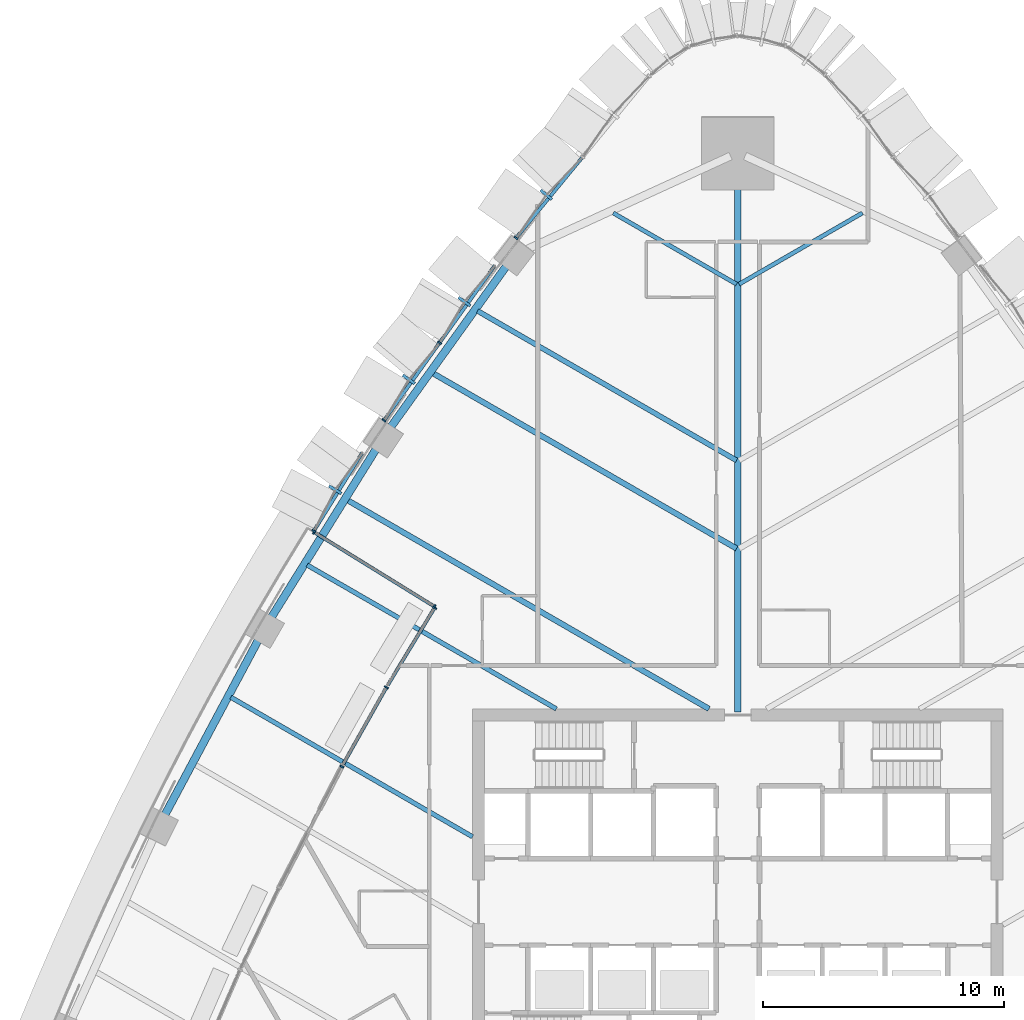
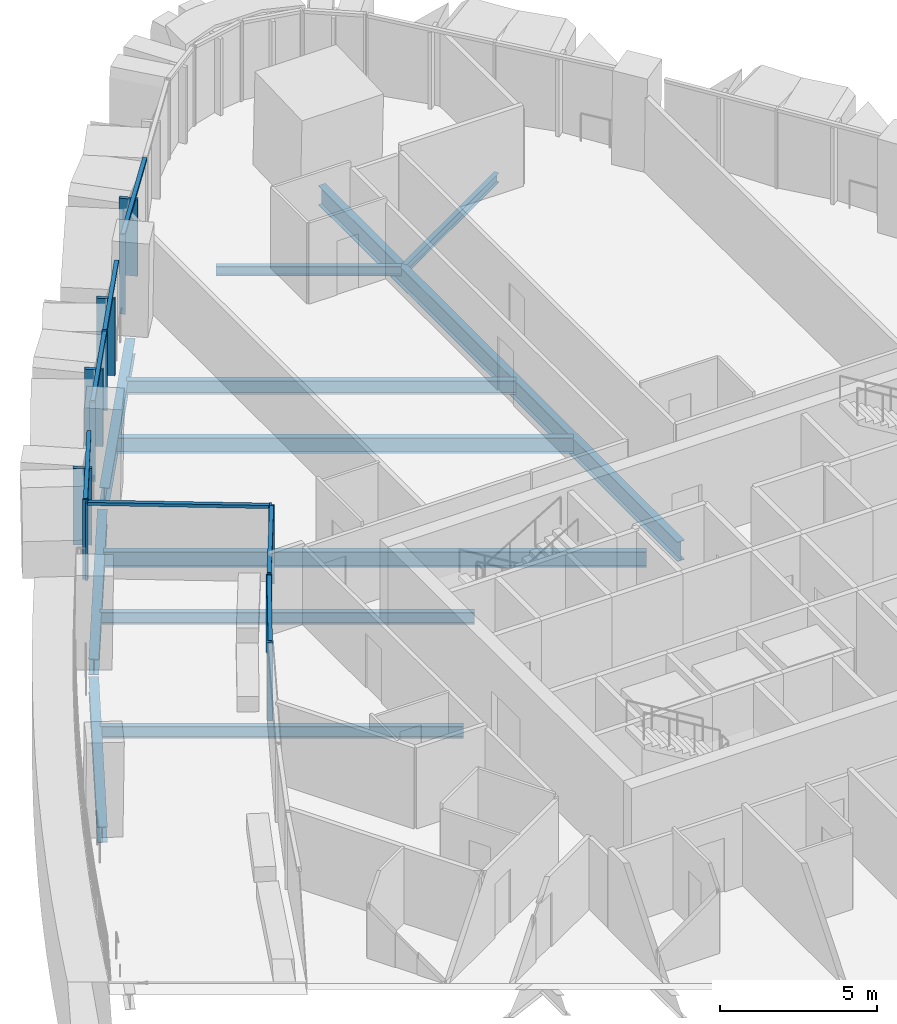
# One storey, part 6 of 24: 20 members, 11 beams, 7 elements without a shape of their own.
"""IFC4 building model written with IfcOpenShell, lengths in metres."""

from ifc_helpers import new_model, si_unit, direction, frame, origin, origin_2d, place, context, subcontext, project, spatial, rectangle, i_section, extrude, material, layer, layer_set, material_profile, profile_set, type_object, element, aggregate, save


model = new_model("IFC4")

# Units and contexts
model_context = context("Model", 3, precision=1e-05, world=origin(), true_north=direction((0.0, 1.0)))
body_context = subcontext(model_context, "Body", "Model", "MODEL_VIEW")
ifc_project = project(units=[si_unit("LENGTHUNIT", "METRE"), si_unit("AREAUNIT", "SQUARE_METRE"), si_unit("VOLUMEUNIT", "CUBIC_METRE"), si_unit("PLANEANGLEUNIT", "RADIAN"), si_unit("MASSUNIT", "GRAM", prefix="KILO")], contexts=[model_context])

# Site, building, storey
site_placement = place(None, origin())
site = spatial("IfcSite", under=ifc_project, at=site_placement, CompositionType="ELEMENT")
building_placement = place(site_placement, origin())
building = spatial("IfcBuilding", under=site, at=building_placement, Name="Sierra Prisma Convention Tower", CompositionType="ELEMENT")
storey_placement = place(building_placement, frame((0.0, 0.0, 59.10009765625)))
storey = spatial("IfcBuildingStorey", under=building, at=storey_placement, Name="L10", CompositionType="ELEMENT", Elevation=59.10009765625)

# Curtain wall, member
ifc_material_1 = material(Name="Aluminium and glass curtain wall", Category="aluminium")
ifc_layer_1 = layer(ifc_material_1, 0.179931640625)
ifc_layer_set_1 = layer_set([ifc_layer_1], Name="CW-2 Faceted crystal curtain wall")
curtain_wall_type_1 = type_object("IfcCurtainWallType", Name="CW-2 Faceted crystal curtain wall", PredefinedType="NOTDEFINED", material=ifc_layer_set_1)
curtain_wall_1_placement = place(storey_placement, origin())
curtain_wall_1 = element("IfcCurtainWall", 1, at=curtain_wall_1_placement, inside=storey, type_object=curtain_wall_type_1, Name="CW-2 NW1 L10", PredefinedType="NOTDEFINED")
ifc_material_2 = material(Name="Aluminium 6063-T6 bronze anodised", Category="aluminium")
ifc_material_profile_1 = material_profile(ifc_material_2, rectangle(XDim=0.1201171875, YDim=0.60009765625, at=origin_2d()), Name="ALU RIDGE BLADE 120x600")
ifc_profile_set_1 = profile_set([ifc_material_profile_1], Name="Aluminium 6063-T6 bronze anodised")
member_type_1 = type_object("IfcMemberType", Name="CW hip bronze", PredefinedType="MULLION", material=ifc_profile_set_1)
member_1_placement = place(storey_placement, frame((-7.94482421875, 29.318603515625, 0.0), z_axis=(0.0, 0.0, 1.0), x_axis=(-0.634937961683, -0.77256312675, 0.0)))
member_1 = element("IfcMember", 2, at=member_1_placement, type_object=member_type_1, Name="CW-2 ridge NW1.2", PredefinedType="MULLION", context=body_context, shape_type="SweptSolid", body=[
    extrude(rectangle(XDim=0.1201171875, YDim=0.60009765625, at=origin_2d()), origin(), (0.0, 0.0, 1.0), 2.97998046875),
])

# Curtain wall, members
curtain_wall_2_placement = place(storey_placement, origin())
curtain_wall_2 = element("IfcCurtainWall", 3, at=curtain_wall_2_placement, inside=storey, type_object=curtain_wall_type_1, Name="CW-2 NW2 L10", PredefinedType="NOTDEFINED")
member_2_placement = place(storey_placement, frame((-11.34033203125, 24.886474609375, 0.0), z_axis=(0.0, 0.0, 1.0), x_axis=(-0.581647978122, -0.813440612182, 0.0)))
member_2 = element("IfcMember", 4, at=member_2_placement, type_object=member_type_1, Name="CW-2 ridge NW2.1", PredefinedType="MULLION", context=body_context, shape_type="SweptSolid", body=[
    extrude(rectangle(XDim=0.1201171875, YDim=0.60009765625, at=origin_2d()), origin(), (0.0, 0.0, 1.0), 2.97998046875),
])
member_3_placement = place(storey_placement, frame((-13.644775390625, 21.663330078125, 0.0), z_axis=(0.0, 0.0, 1.0), x_axis=(-0.581647978122, -0.813440612182, 0.0)))
member_3 = element("IfcMember", 5, at=member_3_placement, type_object=member_type_1, Name="CW-2 ridge NW2.2", PredefinedType="MULLION", context=body_context, shape_type="SweptSolid", body=[
    extrude(rectangle(XDim=0.1201171875, YDim=0.60009765625, at=origin_2d()), origin(), (0.0, 0.0, 1.0), 2.97998046875),
])

# Curtain wall, member
curtain_wall_3_placement = place(storey_placement, origin())
curtain_wall_3 = element("IfcCurtainWall", 6, at=curtain_wall_3_placement, inside=storey, type_object=curtain_wall_type_1, Name="CW-2 NW3 L10", PredefinedType="NOTDEFINED")
member_4_placement = place(storey_placement, frame((-16.69873046875, 17.088623046875, 0.0), z_axis=(0.0, 0.0, 1.0), x_axis=(-0.525734302002, -0.850648836888, 0.0)))
member_4 = element("IfcMember", 7, at=member_4_placement, type_object=member_type_1, Name="CW-2 ridge NW3.1", PredefinedType="MULLION", context=body_context, shape_type="SweptSolid", body=[
    extrude(rectangle(XDim=0.1201171875, YDim=0.60009765625, at=origin_2d()), origin(), (0.0, 0.0, 1.0), 2.97998046875),
])

# Member
ifc_material_3 = material(Name="Aluminium 6063-T6 bronze anodised", Category="aluminium")
ifc_material_profile_2 = material_profile(ifc_material_3, rectangle(XDim=0.179931640625, YDim=0.070068359375, at=origin_2d()), Name="ALU MULLION 70x180")
ifc_profile_set_2 = profile_set([ifc_material_profile_2], Name="Aluminium 6063-T6 bronze anodised")
member_type_2 = type_object("IfcMemberType", Name="CW mullion bronze", PredefinedType="MULLION", material=ifc_profile_set_2)
member_5_placement = place(storey_placement, frame((-9.195068359375, 27.532470703125, 0.0), z_axis=(0.0, 0.0, 1.0), x_axis=(0.77256312675, -0.634937961683, 0.0)))
member_5 = element("IfcMember", 8, at=member_5_placement, type_object=member_type_2, Name="CW-1 mullion NW1.3", PredefinedType="MULLION", context=body_context, shape_type="SweptSolid", body=[
    extrude(rectangle(XDim=0.179931640625, YDim=0.070068359375, at=origin_2d()), origin(), (0.0, 0.0, 1.0), 3.099853515625),
])

member_6_placement = place(storey_placement, frame((-12.367919921875, 23.185791015625, 0.0), z_axis=(0.0, 0.0, 1.0), x_axis=(0.813440612182, -0.581647978122, 0.0)))
member_6 = element("IfcMember", 9, at=member_6_placement, type_object=member_type_2, Name="CW-1 mullion NW2.2", PredefinedType="MULLION", context=body_context, shape_type="SweptSolid", body=[
    extrude(rectangle(XDim=0.179931640625, YDim=0.070068359375, at=origin_2d()), origin(), (0.0, 0.0, 1.0), 3.099853515625),
])

member_7_placement = place(storey_placement, frame((-14.672607421875, 19.962646484375, 0.0), z_axis=(0.0, 0.0, 1.0), x_axis=(0.813440612182, -0.581647978122, 0.0)))
member_7 = element("IfcMember", 10, at=member_7_placement, type_object=member_type_2, Name="CW-1 mullion NW2.3", PredefinedType="MULLION", context=body_context, shape_type="SweptSolid", body=[
    extrude(rectangle(XDim=0.179931640625, YDim=0.070068359375, at=origin_2d()), origin(), (0.0, 0.0, 1.0), 3.099853515625),
])

member_8_placement = place(storey_placement, frame((-17.58251953125, 15.37646484375, 0.0), z_axis=(0.0, 0.0, 1.0), x_axis=(0.850648836888, -0.525734302002, 0.0)))
member_8 = element("IfcMember", 11, at=member_8_placement, type_object=member_type_2, Name="CW-1 mullion NW3.2", PredefinedType="MULLION", context=body_context, shape_type="SweptSolid", body=[
    extrude(rectangle(XDim=0.179931640625, YDim=0.070068359375, at=origin_2d()), origin(), (0.0, 0.0, 1.0), 3.099853515625),
])

# Curtain wall, member
ifc_material_4 = material(Name="Aluminium and glass curtain wall", Category="aluminium")
ifc_layer_2 = layer(ifc_material_4, 0.179931640625)
ifc_layer_set_2 = layer_set([ifc_layer_2], Name="CW-6 Terrace recess curtain wall")
curtain_wall_type_2 = type_object("IfcCurtainWallType", Name="CW-6 Terrace recess curtain wall", PredefinedType="NOTDEFINED", material=ifc_layer_set_2)
curtain_wall_4_placement = place(storey_placement, origin())
curtain_wall_4 = element("IfcCurtainWall", 12, at=curtain_wall_4_placement, inside=storey, type_object=curtain_wall_type_2, Name="CW-6 R1 L10", PredefinedType="NOTDEFINED")
member_9_placement = place(storey_placement, frame((-12.57177734375, 12.197509765625, 0.0), z_axis=(0.0, 0.0, 1.0), x_axis=(0.85535940512, -0.518035025913, 0.0)))
member_9 = element("IfcMember", 13, at=member_9_placement, type_object=member_type_2, Name="CW-6 mullion R1.1", PredefinedType="MULLION", context=body_context, shape_type="SweptSolid", body=[
    extrude(rectangle(XDim=0.179931640625, YDim=0.070068359375, at=origin_2d()), origin(), (0.0, 0.0, 1.0), 3.039794921875),
])

curtain_wall_5_placement = place(storey_placement, origin())
curtain_wall_5 = element("IfcCurtainWall", 14, at=curtain_wall_5_placement, inside=storey, type_object=curtain_wall_type_2, Name="CW-6 R2 L10", PredefinedType="NOTDEFINED")
member_10_placement = place(storey_placement, frame((-14.5703125, 8.895263671875, 0.0), z_axis=(0.0, 0.0, 1.0), x_axis=(0.871255712144, -0.490829383856, 0.0)))
member_10 = element("IfcMember", 15, at=member_10_placement, type_object=member_type_2, Name="CW-6 mullion R2.1", PredefinedType="MULLION", context=body_context, shape_type="SweptSolid", body=[
    extrude(rectangle(XDim=0.179931640625, YDim=0.070068359375, at=origin_2d()), origin(), (0.0, 0.0, 1.0), 3.039794921875),
])

curtain_wall_6_placement = place(storey_placement, origin())
curtain_wall_6 = element("IfcCurtainWall", 16, at=curtain_wall_6_placement, inside=storey, type_object=curtain_wall_type_2, Name="CW-6 R3 L10", PredefinedType="NOTDEFINED")
member_11_placement = place(storey_placement, frame((-16.42041015625, 5.60888671875, 0.0), z_axis=(0.0, 0.0, 1.0), x_axis=(0.887780634545, -0.460266819277, 0.0)))
member_11 = element("IfcMember", 17, at=member_11_placement, type_object=member_type_2, Name="CW-6 mullion R3.1", PredefinedType="MULLION", context=body_context, shape_type="SweptSolid", body=[
    extrude(rectangle(XDim=0.179931640625, YDim=0.070068359375, at=origin_2d()), origin(), (0.0, 0.0, 1.0), 3.039794921875),
])
aggregate(curtain_wall_6, [member_11])

# Curtain wall, members
curtain_wall_7_placement = place(storey_placement, origin())
curtain_wall_7 = element("IfcCurtainWall", 18, at=curtain_wall_7_placement, inside=storey, type_object=curtain_wall_type_2, Name="CW-6 RT1 L10", PredefinedType="NOTDEFINED")
member_12_placement = place(storey_placement, frame((-17.571044921875, 15.328369140625, 0.0), z_axis=(0.0, 0.0, 1.0), x_axis=(0.525734302002, 0.850648836888, 0.0)))
member_12 = element("IfcMember", 19, at=member_12_placement, type_object=member_type_2, Name="CW-6 mullion RT1.1", PredefinedType="MULLION", context=body_context, shape_type="SweptSolid", body=[
    extrude(rectangle(XDim=0.179931640625, YDim=0.070068359375, at=origin_2d()), origin(), (0.0, 0.0, 1.0), 3.039794921875),
])
member_13_placement = place(storey_placement, frame((-12.583251953125, 12.245849609375, 0.0), z_axis=(0.0, 0.0, 1.0), x_axis=(0.525734302002, 0.850648836888, 0.0)))
member_13 = element("IfcMember", 20, at=member_13_placement, type_object=member_type_2, Name="CW-6 mullion RT1.2", PredefinedType="MULLION", context=body_context, shape_type="SweptSolid", body=[
    extrude(rectangle(XDim=0.179931640625, YDim=0.070068359375, at=origin_2d()), origin(), (0.0, 0.0, 1.0), 3.039794921875),
])

# Member
ifc_material_5 = material(Name="Aluminium 6063-T6 bronze anodised", Category="aluminium")
ifc_material_profile_3 = material_profile(ifc_material_5, rectangle(XDim=0.139892578125, YDim=0.1201171875, at=origin_2d()), Name="ALU TRANSOM 120x140")
ifc_profile_set_3 = profile_set([ifc_material_profile_3], Name="Aluminium 6063-T6 bronze anodised")
member_type_3 = type_object("IfcMemberType", Name="CW transom bronze", PredefinedType="USERDEFINED", material=ifc_profile_set_3)
member_14_placement = place(storey_placement, frame((-6.45703125, 30.864013671875, 3.039794921875), z_axis=(-0.634942676091, -0.772559252147, 0.0), x_axis=(0.772559252147, -0.634942676091, 0.0)))
member_14 = element("IfcMember", 21, at=member_14_placement, type_object=member_type_3, Name="CW-1 transom NW1.2", ObjectType="TRANSOM", PredefinedType="USERDEFINED", context=body_context, shape_type="SweptSolid", body=[
    extrude(rectangle(XDim=0.139892578125, YDim=0.1201171875, at=origin_2d()), origin(), (0.0, 0.0, 1.0), 4.27734375),
])

aggregate(curtain_wall_1, [member_5, member_14, member_1])

member_15_placement = place(storey_placement, frame((-10.083740234375, 26.38037109375, 3.039794921875), z_axis=(-0.581659398072, -0.813432446263, 0.0), x_axis=(0.813432446263, -0.581659398072, 0.0)))
member_15 = element("IfcMember", 22, at=member_15_placement, type_object=member_type_3, Name="CW-1 transom NW2.1", ObjectType="TRANSOM", PredefinedType="USERDEFINED", context=body_context, shape_type="SweptSolid", body=[
    extrude(rectangle(XDim=0.139892578125, YDim=0.1201171875, at=origin_2d()), origin(), (0.0, 0.0, 1.0), 3.89208984375),
])

member_16_placement = place(storey_placement, frame((-12.388427734375, 23.1572265625, 3.039794921875), z_axis=(-0.581659398072, -0.813432446263, 0.0), x_axis=(0.813432446263, -0.581659398072, 0.0)))
member_16 = element("IfcMember", 23, at=member_16_placement, type_object=member_type_3, Name="CW-1 transom NW2.2", ObjectType="TRANSOM", PredefinedType="USERDEFINED", context=body_context, shape_type="SweptSolid", body=[
    extrude(rectangle(XDim=0.139892578125, YDim=0.1201171875, at=origin_2d()), origin(), (0.0, 0.0, 1.0), 3.89208984375),
])

aggregate(curtain_wall_2, [member_6, member_7, member_15, member_2, member_16, member_3])

member_17_placement = place(storey_placement, frame((-15.5810546875, 18.614990234375, 3.039794921875), z_axis=(-0.525739508681, -0.850645618934, 0.0), x_axis=(0.850645618934, -0.525739508681, 0.0)))
member_17 = element("IfcMember", 24, at=member_17_placement, type_object=member_type_3, Name="CW-1 transom NW3.1", ObjectType="TRANSOM", PredefinedType="USERDEFINED", context=body_context, shape_type="SweptSolid", body=[
    extrude(rectangle(XDim=0.139892578125, YDim=0.1201171875, at=origin_2d()), origin(), (0.0, 0.0, 1.0), 3.772216796875),
])

aggregate(curtain_wall_3, [member_8, member_17, member_4])

member_18_placement = place(storey_placement, frame((-12.58984375, 12.16748046875, 2.97998046875), z_axis=(-0.518023870809, -0.855366160935, 0.0), x_axis=(0.855366160935, -0.518023870809, 0.0)))
member_18 = element("IfcMember", 25, at=member_18_placement, type_object=member_type_3, Name="CW-6 transom R1.1", ObjectType="TRANSOM", PredefinedType="USERDEFINED", context=body_context, shape_type="SweptSolid", body=[
    extrude(rectangle(XDim=0.139892578125, YDim=0.1201171875, at=origin_2d()), origin(), (0.0, 0.0, 1.0), 3.719970703125),
])

aggregate(curtain_wall_4, [member_9, member_18])

member_19_placement = place(storey_placement, frame((-14.58740234375, 8.86474609375, 2.97998046875), z_axis=(-0.490851640442, -0.871243173331, 0.0), x_axis=(0.871243173331, -0.490851640442, 0.0)))
member_19 = element("IfcMember", 26, at=member_19_placement, type_object=member_type_3, Name="CW-6 transom R2.1", ObjectType="TRANSOM", PredefinedType="USERDEFINED", context=body_context, shape_type="SweptSolid", body=[
    extrude(rectangle(XDim=0.139892578125, YDim=0.1201171875, at=origin_2d()), origin(), (0.0, 0.0, 1.0), 3.63134765625),
])

aggregate(curtain_wall_5, [member_10, member_19])

member_20_placement = place(storey_placement, frame((-17.541259765625, 15.31005859375, 2.97998046875), z_axis=(0.850643912575, -0.525742269557, 0.0), x_axis=(0.525742269557, 0.850643912575, 0.0)))
member_20 = element("IfcMember", 27, at=member_20_placement, type_object=member_type_3, Name="CW-6 transom RT1.1", ObjectType="TRANSOM", PredefinedType="USERDEFINED", context=body_context, shape_type="SweptSolid", body=[
    extrude(rectangle(XDim=0.139892578125, YDim=0.1201171875, at=origin_2d()), origin(), (0.0, 0.0, 1.0), 5.79345703125),
])

aggregate(curtain_wall_7, [member_12, member_13, member_20])

# Beams
ifc_material_6 = material(Name="Steel ASTM A992 Gr 50", Category="steel")
ifc_material_profile_4 = material_profile(ifc_material_6, i_section(OverallWidth=0.172119140625, OverallDepth=0.35791015625, WebThickness=0.0078125, FlangeThickness=0.01318359375, at=origin_2d()), Name="W360x57")
ifc_profile_set_4 = profile_set([ifc_material_profile_4], Name="Steel ASTM A992 Gr 50")
beam_type_1 = type_object("IfcBeamType", Name="Floor joist W360x57", PredefinedType="JOIST", material=ifc_profile_set_4)
for number, where, z_axis, x_axis, name in (
    (28, (5.165283203125, 28.564208984375, -0.3291015625), (-0.866020293397, -0.500008851346, 0.0), (0.500008851346, -0.866020293397, 0.0), "Floor joist L10 NE16"),
    (29, (-5.165283203125, 28.564208984375, -0.3291015625), (0.866020293397, -0.500008851346, 0.0), (0.500008851346, 0.866020293397, 0.0), "Floor joist L10 NW02"),
):
    element("IfcBeam", number, at=place(storey_placement, frame(where, z_axis=z_axis, x_axis=x_axis)), inside=storey, type_object=beam_type_1, Name=name, PredefinedType="JOIST", context=body_context, shape_type="SweptSolid", body=[
        extrude(i_section(OverallWidth=0.172119140625, OverallDepth=0.35791015625, WebThickness=0.0078125, FlangeThickness=0.01318359375, at=origin_2d()), origin(), (0.0, 0.0, 1.0), 5.9033203125),
    ])
ifc_material_7 = material(Name="Steel ASTM A992 Gr 50", Category="steel")
ifc_material_profile_5 = material_profile(ifc_material_7, i_section(OverallWidth=0.18994140625, OverallDepth=0.45703125, WebThickness=0.009033203125, FlangeThickness=0.014404296875, at=origin_2d()), Name="W460x74")
ifc_profile_set_5 = profile_set([ifc_material_profile_5], Name="Steel ASTM A992 Gr 50")
beam_type_2 = type_object("IfcBeamType", Name="Floor joist W460x74", PredefinedType="JOIST", material=ifc_profile_set_5)
beam_1_placement = place(storey_placement, frame((-17.85986328125, 13.966064453125, -0.528564453125), z_axis=(0.866019646029, -0.500009972593, 0.0), x_axis=(0.500009972593, 0.866019646029, 0.0)))
element("IfcBeam", 30, at=beam_1_placement, inside=storey, type_object=beam_type_2, Name="Floor joist L10 NW08", PredefinedType="JOIST", context=body_context, shape_type="SweptSolid", body=[
    extrude(i_section(OverallWidth=0.18994140625, OverallDepth=0.45703125, WebThickness=0.009033203125, FlangeThickness=0.014404296875, at=origin_2d()), origin(), (0.0, 0.0, 1.0), 11.931884765625),
])
beam_2_placement = place(storey_placement, frame((-21.02490234375, 8.484130859375, -0.528564453125), z_axis=(0.866026835339, -0.499997520466, 0.0), x_axis=(0.499997520466, 0.866026835339, 0.0)))
element("IfcBeam", 31, at=beam_2_placement, inside=storey, type_object=beam_type_2, Name="Floor joist L10 NW10", PredefinedType="JOIST", context=body_context, shape_type="SweptSolid", body=[
    extrude(i_section(OverallWidth=0.18994140625, OverallDepth=0.45703125, WebThickness=0.009033203125, FlangeThickness=0.014404296875, at=origin_2d()), origin(), (0.0, 0.0, 1.0), 11.57568359375),
])
ifc_material_8 = material(Name="Steel ASTM A992 Gr 50", Category="steel")
ifc_material_profile_6 = material_profile(ifc_material_8, i_section(OverallWidth=0.208984375, OverallDepth=0.532958984375, WebThickness=0.01025390625, FlangeThickness=0.015625, at=origin_2d()), Name="W530x92")
ifc_profile_set_6 = profile_set([ifc_material_profile_6], Name="Steel ASTM A992 Gr 50")
beam_type_3 = type_object("IfcBeamType", Name="Floor joist W530x92", PredefinedType="JOIST", material=ifc_profile_set_6)
beam_3_placement = place(storey_placement, frame((-10.7939453125, 24.504638671875, -0.41650390625), z_axis=(0.866029879506, -0.499992247743, 0.0), x_axis=(0.499992247743, 0.866029879506, 0.0)))
element("IfcBeam", 32, at=beam_3_placement, inside=storey, type_object=beam_type_3, Name="Floor joist L10 NW04", PredefinedType="JOIST", context=body_context, shape_type="SweptSolid", body=[
    extrude(i_section(OverallWidth=0.208984375, OverallDepth=0.532958984375, WebThickness=0.01025390625, FlangeThickness=0.015625, at=origin_2d()), origin(), (0.0, 0.0, 1.0), 12.402587890625),
])
ifc_material_9 = material(Name="Steel ASTM A992 Gr 50", Category="steel")
ifc_material_profile_7 = material_profile(ifc_material_9, i_section(OverallWidth=0.22802734375, OverallDepth=0.60302734375, WebThickness=0.010498046875, FlangeThickness=0.014892578125, at=origin_2d()), Name="W610x101")
ifc_profile_set_7 = profile_set([ifc_material_profile_7], Name="Steel ASTM A992 Gr 50")
beam_type_4 = type_object("IfcBeamType", Name="Floor joist W610x101", PredefinedType="JOIST", material=ifc_profile_set_7)
beam_4_placement = place(storey_placement, frame((-12.6484375, 21.9208984375, -0.45166015625), z_axis=(0.866025968837, -0.499999021298, 0.0), x_axis=(0.499999021298, 0.866025968837, 0.0)))
element("IfcBeam", 33, at=beam_4_placement, inside=storey, type_object=beam_type_4, Name="Floor joist L10 NW05", PredefinedType="JOIST", context=body_context, shape_type="SweptSolid", body=[
    extrude(i_section(OverallWidth=0.22802734375, OverallDepth=0.60302734375, WebThickness=0.010498046875, FlangeThickness=0.014892578125, at=origin_2d()), origin(), (0.0, 0.0, 1.0), 14.5439453125),
])
beam_5_placement = place(storey_placement, frame((-16.18701171875, 16.65478515625, -0.45166015625), z_axis=(0.866024694585, -0.500001228368, 0.0), x_axis=(0.500001228368, 0.866024694585, 0.0)))
element("IfcBeam", 34, at=beam_5_placement, inside=storey, type_object=beam_type_4, Name="Floor joist L10 NW07", PredefinedType="JOIST", context=body_context, shape_type="SweptSolid", body=[
    extrude(i_section(OverallWidth=0.22802734375, OverallDepth=0.60302734375, WebThickness=0.010498046875, FlangeThickness=0.014892578125, at=origin_2d()), origin(), (0.0, 0.0, 1.0), 17.3095703125),
])
ifc_material_10 = material(Name="Steel ASTM A992 Gr 50", Category="steel")
ifc_material_profile_8 = material_profile(ifc_material_10, i_section(OverallWidth=0.264892578125, OverallDepth=0.7529296875, WebThickness=0.01318359375, FlangeThickness=0.01708984375, at=origin_2d()), Name="W760x147")
ifc_profile_set_8 = profile_set([ifc_material_profile_8], Name="Steel ASTM A992 Gr 50")
beam_type_5 = type_object("IfcBeamType", Name="Radial girder W760x147", PredefinedType="BEAM", material=ifc_profile_set_8)
beam_6_placement = place(storey_placement, frame((0.0, 30.763916015625, -0.526611328125), z_axis=(0.0, -1.0, 0.0), x_axis=(1.0, 0.0, 0.0)))
element("IfcBeam", 35, at=beam_6_placement, inside=storey, type_object=beam_type_5, Name="Radial girder L10 N", PredefinedType="BEAM", context=body_context, shape_type="SweptSolid", body=[
    extrude(i_section(OverallWidth=0.264892578125, OverallDepth=0.7529296875, WebThickness=0.01318359375, FlangeThickness=0.01708984375, at=origin_2d()), origin(), (0.0, 0.0, 1.0), 22.884033203125),
])
ifc_material_11 = material(Name="Steel ASTM A992 Gr 50", Category="steel")
ifc_material_profile_9 = material_profile(ifc_material_11, i_section(OverallWidth=0.324951171875, OverallDepth=0.615966796875, WebThickness=0.013916015625, FlangeThickness=0.021484375, at=origin_2d()), Name="W610x174")
ifc_profile_set_9 = profile_set([ifc_material_profile_9], Name="Steel ASTM A992 Gr 50")
beam_type_6 = type_object("IfcBeamType", Name="Spandrel beam W610x174", PredefinedType="BEAM", material=ifc_profile_set_9)
beam_7_placement = place(storey_placement, frame((-9.55322265625, 26.426513671875, -0.4580078125), z_axis=(-0.583104476356, -0.812397174818, 0.0), x_axis=(0.812397174818, -0.583104476356, 0.0)))
element("IfcBeam", 36, at=beam_7_placement, inside=storey, type_object=beam_type_6, Name="Spandrel L10-14", PredefinedType="BEAM", context=body_context, shape_type="SweptSolid", body=[
    extrude(i_section(OverallWidth=0.324951171875, OverallDepth=0.615966796875, WebThickness=0.013916015625, FlangeThickness=0.021484375, at=origin_2d()), origin(), (0.0, 0.0, 1.0), 8.3583984375),
])
beam_8_placement = place(storey_placement, frame((-14.9609375, 18.838134765625, -0.608154296875), z_axis=(-0.528285976844, -0.84906650309, 0.0), x_axis=(0.84906650309, -0.528285976844, 0.0)))
element("IfcBeam", 37, at=beam_8_placement, inside=storey, type_object=beam_type_6, Name="Spandrel L10-15", PredefinedType="BEAM", context=body_context, shape_type="SweptSolid", body=[
    extrude(i_section(OverallWidth=0.324951171875, OverallDepth=0.615966796875, WebThickness=0.013916015625, FlangeThickness=0.021484375, at=origin_2d()), origin(), (0.0, 0.0, 1.0), 8.358154296875),
])
beam_9_placement = place(storey_placement, frame((-19.856689453125, 10.909912109375, -0.608154296875), z_axis=(-0.471143014348, -0.882056834921, 0.0), x_axis=(0.882056834921, -0.471143014348, 0.0)))
element("IfcBeam", 38, at=beam_9_placement, inside=storey, type_object=beam_type_6, Name="Spandrel L10-16", PredefinedType="BEAM", context=body_context, shape_type="SweptSolid", body=[
    extrude(i_section(OverallWidth=0.324951171875, OverallDepth=0.615966796875, WebThickness=0.013916015625, FlangeThickness=0.021484375, at=origin_2d()), origin(), (0.0, 0.0, 1.0), 8.3583984375),
])

save(model, "model.ifc")
